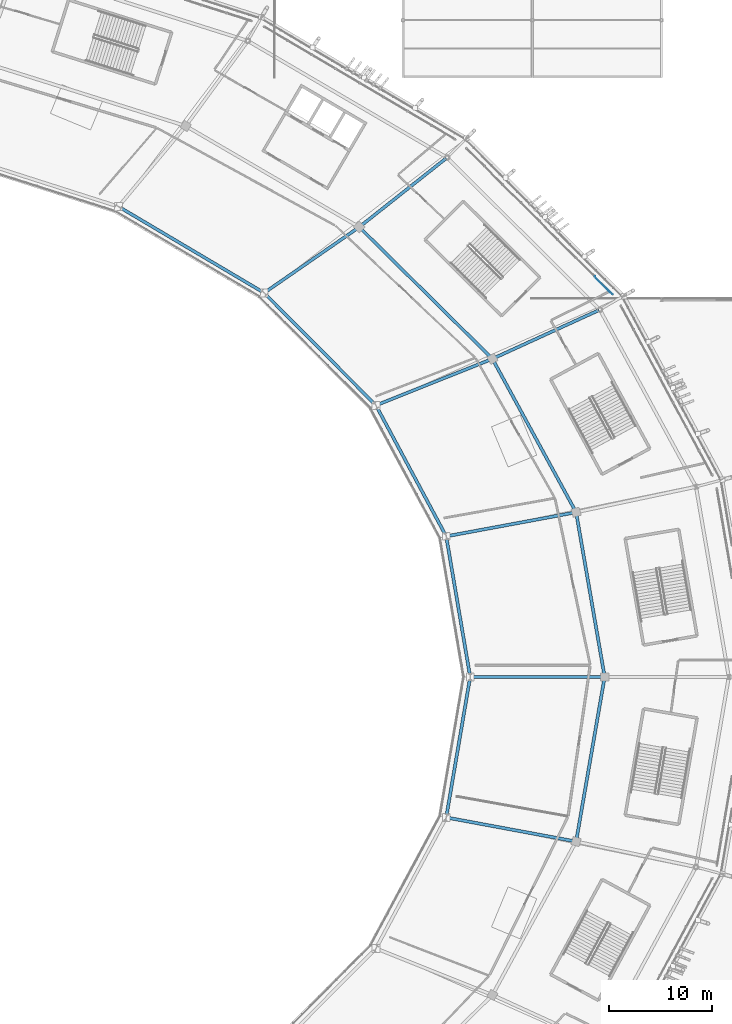
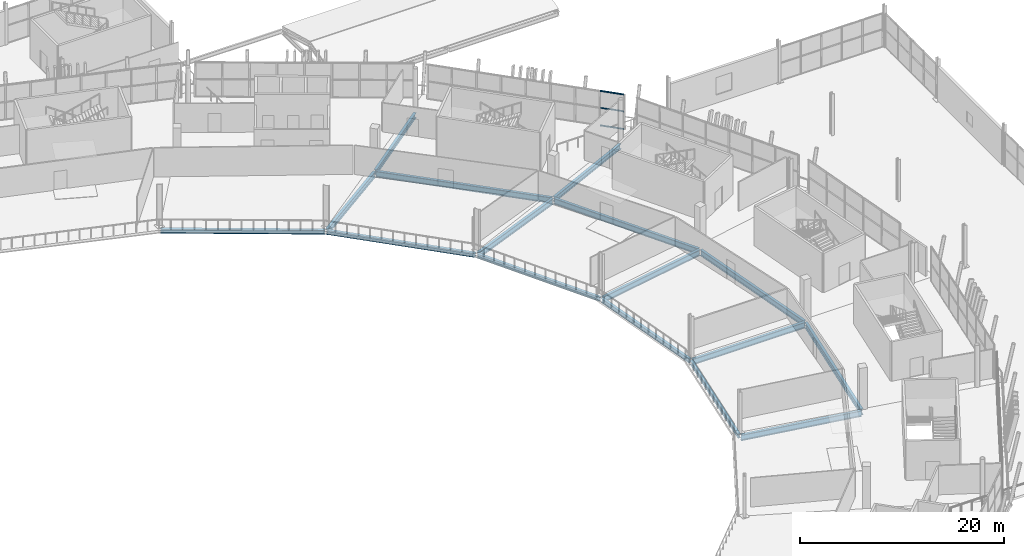
# One storey, part 63 of 179: 16 beams, 3 members, 1 element without a shape of its own.
"""IFC4 building model written with IfcOpenShell, lengths in metres."""

from ifc_helpers import new_model, si_unit, direction, frame, origin, origin_2d, place, context, subcontext, project, spatial, rectangle, i_section, extrude, material, material_profile, profile_set, type_object, element, aggregate, save


model = new_model("IFC4")

# Units and contexts
model_context = context("Model", 3, precision=1e-05, world=origin(), true_north=direction((0.0, 1.0)))
body_context = subcontext(model_context, "Body", "Model", "MODEL_VIEW")
ifc_project = project(units=[si_unit("LENGTHUNIT", "METRE"), si_unit("AREAUNIT", "SQUARE_METRE"), si_unit("VOLUMEUNIT", "CUBIC_METRE"), si_unit("PLANEANGLEUNIT", "RADIAN"), si_unit("MASSUNIT", "GRAM", prefix="KILO")], contexts=[model_context])

# Site, building, storey
site_placement = place(None, origin())
site = spatial("IfcSite", under=ifc_project, at=site_placement, CompositionType="ELEMENT")
building_placement = place(site_placement, origin())
building = spatial("IfcBuilding", under=site, at=building_placement, Name="Zlatoyarsky Gate Stadium", CompositionType="ELEMENT")
storey_placement = place(building_placement, frame((0.0, 0.0, 10.60009765625)))
storey = spatial("IfcBuildingStorey", under=building, at=storey_placement, Name="L02", CompositionType="ELEMENT", Elevation=10.60009765625)

# Curtain wall, members
ifc_material_1 = material(Name="Thermally broken anodised aluminium curtain wall", Category="aluminium")
curtain_wall_type = type_object("IfcCurtainWallType", Name="UNITISED HOSPITALITY GLAZING L02", PredefinedType="USERDEFINED", material=ifc_material_1)
curtain_wall_placement = place(storey_placement, origin())
curtain_wall = element("IfcCurtainWall", 1, at=curtain_wall_placement, inside=storey, type_object=curtain_wall_type, Name="Curtain wall CW-L02-02", ObjectType="UNITISED GLAZING", PredefinedType="USERDEFINED")
ifc_material_2 = material(Name="Anodised aluminium 6063-T6", Category="aluminium")
ifc_material_profile_1 = material_profile(ifc_material_2, rectangle(XDim=0.06494140625, YDim=0.139892578125, at=origin_2d()), Name="ALU 65X140")
ifc_profile_set_1 = profile_set([ifc_material_profile_1], Name="Anodised aluminium 6063-T6")
member_type = type_object("IfcMemberType", Name="ALUMINIUM TRANSOM 65X140", PredefinedType="USERDEFINED", material=ifc_profile_set_1)
member_1_placement = place(storey_placement, frame((192.746337890625, 116.993896484375, 0.032470703125), z_axis=(-0.706701446359, 0.707511883797, 0.0), x_axis=(-0.707511883797, -0.706701446359, 0.0)))
member_1 = element("IfcMember", 2, at=member_1_placement, type_object=member_type, Name="CW-UG2 transom 1.1", ObjectType="TRANSOM", PredefinedType="USERDEFINED", context=body_context, shape_type="SweptSolid", body=[
    extrude(rectangle(XDim=0.06494140625, YDim=0.139892578125, at=origin_2d()), origin(), (0.0, 0.0, 1.0), 2.409912109375),
])
member_2_placement = place(storey_placement, frame((192.746337890625, 116.993896484375, 2.14990234375), z_axis=(-0.706701446359, 0.707511883797, 0.0), x_axis=(-0.707511883797, -0.706701446359, 0.0)))
member_2 = element("IfcMember", 3, at=member_2_placement, type_object=member_type, Name="CW-UG2 transom 1.2", ObjectType="TRANSOM", PredefinedType="USERDEFINED", context=body_context, shape_type="SweptSolid", body=[
    extrude(rectangle(XDim=0.06494140625, YDim=0.139892578125, at=origin_2d()), origin(), (0.0, 0.0, 1.0), 2.409912109375),
])
member_3_placement = place(storey_placement, frame((192.746337890625, 116.993896484375, 4.16748046875), z_axis=(-0.706701446359, 0.707511883797, 0.0), x_axis=(-0.707511883797, -0.706701446359, 0.0)))
member_3 = element("IfcMember", 4, at=member_3_placement, type_object=member_type, Name="CW-UG2 transom 1.3", ObjectType="TRANSOM", PredefinedType="USERDEFINED", context=body_context, shape_type="SweptSolid", body=[
    extrude(rectangle(XDim=0.06494140625, YDim=0.139892578125, at=origin_2d()), origin(), (0.0, 0.0, 1.0), 2.409912109375),
])
aggregate(curtain_wall, [member_1, member_2, member_3])

# Beams
ifc_material_3 = material(Name="Steel S355", Category="steel")
ifc_material_profile_2 = material_profile(ifc_material_3, i_section(OverallWidth=0.300048828125, OverallDepth=0.5, WebThickness=0.014404296875, FlangeThickness=0.028076171875, FilletRadius=0.027099609375, at=origin_2d()), Name="HEB 500")
ifc_profile_set_2 = profile_set([ifc_material_profile_2], Name="Steel S355")
beam_type_1 = type_object("IfcBeamType", Name="STEEL PRIMARY GIRDER HEB 500", PredefinedType="BEAM", material=ifc_profile_set_2)
beam_1_placement = place(storey_placement, frame((178.979736328125, 80.118408203125, -0.530029296875), z_axis=(-0.168089694981, 0.985771705032, 0.0), x_axis=(-0.985771705032, -0.168089694981, 0.0)))
element("IfcBeam", 5, at=beam_1_placement, inside=storey, type_object=beam_type_1, Name="Beam G-HEB500 BM-L02-CRA-00", PredefinedType="BEAM", context=body_context, shape_type="SweptSolid", body=[
    extrude(i_section(OverallWidth=0.300048828125, OverallDepth=0.5, WebThickness=0.014404296875, FlangeThickness=0.028076171875, FilletRadius=0.027099609375, at=origin_2d()), origin(), (0.0, 0.0, 1.0), 13.5439453125),
])
beam_2_placement = place(storey_placement, frame((176.626220703125, 93.693603515625, -0.530029296875), z_axis=(-0.472766984781, 0.881187481812, 0.0), x_axis=(-0.881187481812, -0.472766984781, 0.0)))
element("IfcBeam", 6, at=beam_2_placement, inside=storey, type_object=beam_type_1, Name="Beam G-HEB500 BM-L02-CRA-01", PredefinedType="BEAM", context=body_context, shape_type="SweptSolid", body=[
    extrude(i_section(OverallWidth=0.300048828125, OverallDepth=0.5, WebThickness=0.014404296875, FlangeThickness=0.028076171875, FilletRadius=0.027099609375, at=origin_2d()), origin(), (0.0, 0.0, 1.0), 14.12939453125),
])
beam_3_placement = place(storey_placement, frame((169.80517578125, 106.335205078125, -0.530029296875), z_axis=(-0.704927331607, 0.709279533861, 0.0), x_axis=(-0.709279533861, -0.704927331607, 0.0)))
element("IfcBeam", 7, at=beam_3_placement, inside=storey, type_object=beam_type_1, Name="Beam G-HEB500 BM-L02-CRA-02", PredefinedType="BEAM", context=body_context, shape_type="SweptSolid", body=[
    extrude(i_section(OverallWidth=0.300048828125, OverallDepth=0.5, WebThickness=0.014404296875, FlangeThickness=0.028076171875, FilletRadius=0.027099609375, at=origin_2d()), origin(), (0.0, 0.0, 1.0), 15.08984375),
])
beam_4_placement = place(storey_placement, frame((158.97998046875, 117.184326171875, -0.530029296875), z_axis=(-0.860360371321, 0.50968620882, 0.0), x_axis=(-0.50968620882, -0.860360371321, 0.0)))
element("IfcBeam", 8, at=beam_4_placement, inside=storey, type_object=beam_type_1, Name="Beam G-HEB500 BM-L02-CRA-03", PredefinedType="BEAM", context=body_context, shape_type="SweptSolid", body=[
    extrude(i_section(OverallWidth=0.300048828125, OverallDepth=0.5, WebThickness=0.014404296875, FlangeThickness=0.028076171875, FilletRadius=0.027099609375, at=origin_2d()), origin(), (0.0, 0.0, 1.0), 16.12890625),
])
beam_5_placement = place(storey_placement, frame((176.703125, 66.5302734375, -0.530029296875), z_axis=(0.168089694981, 0.985771705032, 0.0), x_axis=(-0.985771705032, 0.168089694981, 0.0)))
element("IfcBeam", 9, at=beam_5_placement, inside=storey, type_object=beam_type_1, Name="Beam G-HEB500 BM-L02-CRA-23", PredefinedType="BEAM", context=body_context, shape_type="SweptSolid", body=[
    extrude(i_section(OverallWidth=0.300048828125, OverallDepth=0.5, WebThickness=0.014404296875, FlangeThickness=0.028076171875, FilletRadius=0.027099609375, at=origin_2d()), origin(), (0.0, 0.0, 1.0), 13.5439453125),
])
ifc_material_profile_3 = material_profile(ifc_material_3, i_section(OverallWidth=0.300048828125, OverallDepth=0.60009765625, WebThickness=0.015380859375, FlangeThickness=0.030029296875, FilletRadius=0.027099609375, at=origin_2d()), Name="HEB 600")
ifc_profile_set_3 = profile_set([ifc_material_profile_3], Name="Steel S355")
beam_type_2 = type_object("IfcBeamType", Name="STEEL PRIMARY GIRDER HEB 600", PredefinedType="BEAM", material=ifc_profile_set_3)
beam_6_placement = place(storey_placement, frame((181.257080078125, 110.7998046875, -0.580078125), z_axis=(0.909498994842, 0.415706120213, 0.0), x_axis=(-0.415706120213, 0.909498994842, 0.0)))
element("IfcBeam", 10, at=beam_6_placement, inside=storey, type_object=beam_type_2, Name="Beam G-HEB600 BM-L02-RBC-02", PredefinedType="BEAM", context=body_context, shape_type="SweptSolid", body=[
    extrude(i_section(OverallWidth=0.300048828125, OverallDepth=0.60009765625, WebThickness=0.015380859375, FlangeThickness=0.030029296875, FilletRadius=0.027099609375, at=origin_2d()), origin(), (0.0, 0.0, 1.0), 11.186767578125),
])
beam_7_placement = place(storey_placement, frame((168.36962890625, 123.5615234375, -0.580078125), z_axis=(0.78404348542, 0.620705898933, 0.0), x_axis=(-0.620705898933, 0.78404348542, 0.0)))
element("IfcBeam", 11, at=beam_7_placement, inside=storey, type_object=beam_type_2, Name="Beam G-HEB600 BM-L02-RBC-03", PredefinedType="BEAM", context=body_context, shape_type="SweptSolid", body=[
    extrude(i_section(OverallWidth=0.300048828125, OverallDepth=0.60009765625, WebThickness=0.015380859375, FlangeThickness=0.030029296875, FilletRadius=0.027099609375, at=origin_2d()), origin(), (0.0, 0.0, 1.0), 10.58251953125),
])
ifc_material_profile_4 = material_profile(ifc_material_3, i_section(OverallWidth=0.300048828125, OverallDepth=0.699951171875, WebThickness=0.01708984375, FlangeThickness=0.031982421875, FilletRadius=0.027099609375, at=origin_2d()), Name="HEB 700")
ifc_profile_set_4 = profile_set([ifc_material_profile_4], Name="Steel S355")
beam_type_3 = type_object("IfcBeamType", Name="STEEL PRIMARY GIRDER HEB 700", PredefinedType="BEAM", material=ifc_profile_set_4)
beam_8_placement = place(storey_placement, frame((179.1201171875, 80.0, -0.630126953125), z_axis=(1.0, 0.0, 0.0), x_axis=(0.0, 1.0, 0.0)))
element("IfcBeam", 12, at=beam_8_placement, inside=storey, type_object=beam_type_3, Name="Beam G-HEB700 BM-L02-RAB-00", PredefinedType="BEAM", context=body_context, shape_type="SweptSolid", body=[
    extrude(i_section(OverallWidth=0.300048828125, OverallDepth=0.699951171875, WebThickness=0.01708984375, FlangeThickness=0.031982421875, FilletRadius=0.027099609375, at=origin_2d()), origin(), (0.0, 0.0, 1.0), 12.759765625),
])
beam_9_placement = place(storey_placement, frame((191.9794921875, 80.1181640625, -0.630126953125), z_axis=(-0.170843315562, 0.985298209441, 0.0), x_axis=(-0.985298209441, -0.170843315562, 0.0)))
element("IfcBeam", 13, at=beam_9_placement, inside=storey, type_object=beam_type_3, Name="Beam G-HEB700 BM-L02-CRB-00", PredefinedType="BEAM", context=body_context, shape_type="SweptSolid", body=[
    extrude(i_section(OverallWidth=0.300048828125, OverallDepth=0.699951171875, WebThickness=0.01708984375, FlangeThickness=0.031982421875, FilletRadius=0.027099609375, at=origin_2d()), origin(), (0.0, 0.0, 1.0), 15.9150390625),
])
beam_10_placement = place(storey_placement, frame((176.801025390625, 93.60986328125, -0.630126953125), z_axis=(0.98322524088, 0.182395519946, 0.0), x_axis=(-0.182395519946, 0.98322524088, 0.0)))
element("IfcBeam", 14, at=beam_10_placement, inside=storey, type_object=beam_type_3, Name="Beam G-HEB700 BM-L02-RAB-01", PredefinedType="BEAM", context=body_context, shape_type="SweptSolid", body=[
    extrude(i_section(OverallWidth=0.300048828125, OverallDepth=0.699951171875, WebThickness=0.01708984375, FlangeThickness=0.031982421875, FilletRadius=0.027099609375, at=origin_2d()), origin(), (0.0, 0.0, 1.0), 12.53125),
])
beam_11_placement = place(storey_placement, frame((189.1826171875, 96.022705078125, -0.630126953125), z_axis=(-0.478915800408, 0.877860840976, 0.0), x_axis=(-0.877860840976, -0.478915800408, 0.0)))
element("IfcBeam", 15, at=beam_11_placement, inside=storey, type_object=beam_type_3, Name="Beam G-HEB700 BM-L02-CRB-01", PredefinedType="BEAM", context=body_context, shape_type="SweptSolid", body=[
    extrude(i_section(OverallWidth=0.300048828125, OverallDepth=0.699951171875, WebThickness=0.01708984375, FlangeThickness=0.031982421875, FilletRadius=0.027099609375, at=origin_2d()), origin(), (0.0, 0.0, 1.0), 16.656494140625),
])
beam_12_placement = place(storey_placement, frame((170.001220703125, 106.29443359375, -0.630126953125), z_axis=(0.928564503985, 0.371171068295, 0.0), x_axis=(-0.371171068295, 0.928564503985, 0.0)))
element("IfcBeam", 16, at=beam_12_placement, inside=storey, type_object=beam_type_3, Name="Beam G-HEB700 BM-L02-RAB-02", PredefinedType="BEAM", context=body_context, shape_type="SweptSolid", body=[
    extrude(i_section(OverallWidth=0.300048828125, OverallDepth=0.699951171875, WebThickness=0.01708984375, FlangeThickness=0.031982421875, FilletRadius=0.027099609375, at=origin_2d()), origin(), (0.0, 0.0, 1.0), 11.88427734375),
])
beam_13_placement = place(storey_placement, frame((181.062744140625, 110.83447265625, -0.630126953125), z_axis=(-0.710840510009, 0.703353232259, 0.0), x_axis=(-0.703353232259, -0.710840510009, 0.0)))
element("IfcBeam", 17, at=beam_13_placement, inside=storey, type_object=beam_type_3, Name="Beam G-HEB700 BM-L02-CRB-02", PredefinedType="BEAM", context=body_context, shape_type="SweptSolid", body=[
    extrude(i_section(OverallWidth=0.300048828125, OverallDepth=0.699951171875, WebThickness=0.01708984375, FlangeThickness=0.031982421875, FilletRadius=0.027099609375, at=origin_2d()), origin(), (0.0, 0.0, 1.0), 17.868896484375),
])
beam_14_placement = place(storey_placement, frame((159.181884765625, 117.19140625, -0.630126953125), z_axis=(0.822196208432, 0.569204176758, 0.0), x_axis=(-0.569204176758, 0.822196208432, 0.0)))
element("IfcBeam", 18, at=beam_14_placement, inside=storey, type_object=beam_type_3, Name="Beam G-HEB700 BM-L02-RAB-03", PredefinedType="BEAM", context=body_context, shape_type="SweptSolid", body=[
    extrude(i_section(OverallWidth=0.300048828125, OverallDepth=0.699951171875, WebThickness=0.01708984375, FlangeThickness=0.031982421875, FilletRadius=0.027099609375, at=origin_2d()), origin(), (0.0, 0.0, 1.0), 10.9404296875),
])
beam_15_placement = place(storey_placement, frame((176.801025390625, 66.39013671875, -0.630126953125), z_axis=(0.98322524088, -0.182395519946, 0.0), x_axis=(0.182395519946, 0.98322524088, 0.0)))
element("IfcBeam", 19, at=beam_15_placement, inside=storey, type_object=beam_type_3, Name="Beam G-HEB700 BM-L02-RAB-23", PredefinedType="BEAM", context=body_context, shape_type="SweptSolid", body=[
    extrude(i_section(OverallWidth=0.300048828125, OverallDepth=0.699951171875, WebThickness=0.01708984375, FlangeThickness=0.031982421875, FilletRadius=0.027099609375, at=origin_2d()), origin(), (0.0, 0.0, 1.0), 12.53125),
])
beam_16_placement = place(storey_placement, frame((189.260498046875, 64.20068359375, -0.630126953125), z_axis=(0.170843315562, 0.985298209441, 0.0), x_axis=(-0.985298209441, 0.170843315562, 0.0)))
element("IfcBeam", 20, at=beam_16_placement, inside=storey, type_object=beam_type_3, Name="Beam G-HEB700 BM-L02-CRB-23", PredefinedType="BEAM", context=body_context, shape_type="SweptSolid", body=[
    extrude(i_section(OverallWidth=0.300048828125, OverallDepth=0.699951171875, WebThickness=0.01708984375, FlangeThickness=0.031982421875, FilletRadius=0.027099609375, at=origin_2d()), origin(), (0.0, 0.0, 1.0), 15.9150390625),
])

save(model, "model.ifc")
